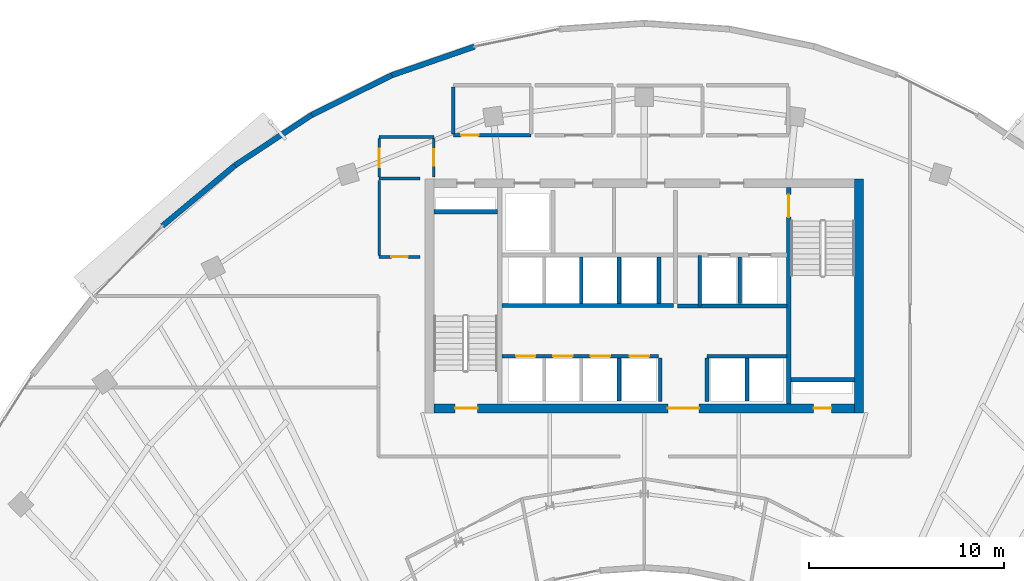
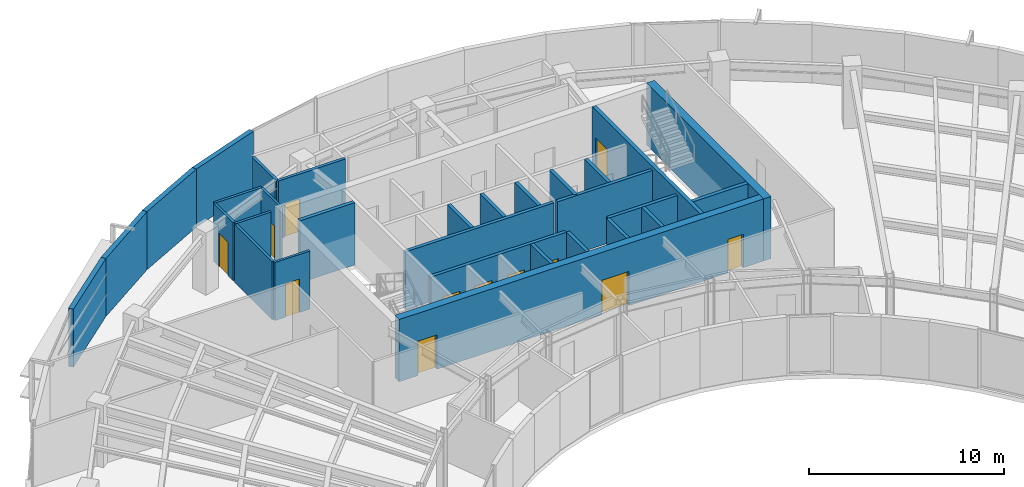
# One storey, part 9 of 13: 30 walls, 12 doors, 12 openings.
"""IFC4 building model written with IfcOpenShell, lengths in metres."""

from ifc_helpers import new_model, si_unit, direction, frame, frame_2d, origin, place, context, subcontext, project, spatial, rectangle, extrude, source, transform, mapped, material, layer, layer_set, type_object, type_shapes, element, fill, save


model = new_model("IFC4")

# Units and contexts
model_context = context("Model", 3, precision=1e-05, world=origin(), true_north=direction((0.0, 1.0)))
body_context = subcontext(model_context, "Body", "Model", "MODEL_VIEW")
ifc_project = project(units=[si_unit("LENGTHUNIT", "METRE"), si_unit("AREAUNIT", "SQUARE_METRE"), si_unit("VOLUMEUNIT", "CUBIC_METRE"), si_unit("PLANEANGLEUNIT", "RADIAN"), si_unit("MASSUNIT", "GRAM", prefix="KILO")], contexts=[model_context])

# Site, building, storey
site_placement = place(None, origin())
site = spatial("IfcSite", under=ifc_project, at=site_placement, CompositionType="ELEMENT")
building_placement = place(site_placement, origin())
building = spatial("IfcBuilding", under=site, at=building_placement, Name="Breltana Convention Tower", CompositionType="ELEMENT")
storey_placement = place(building_placement, frame((0.0, 0.0, 204.0)))
storey = spatial("IfcBuildingStorey", under=building, at=storey_placement, Name="L49", CompositionType="ELEMENT", Elevation=204.0)

# Walls
ifc_material_1 = material(Name="Concrete C50/60", Category="concrete")
ifc_layer_1 = layer(ifc_material_1, 0.39990234375, Name="Concrete C50/60")
ifc_layer_set_1 = layer_set([ifc_layer_1], Name="Concrete C50/60")
wall_type_1 = type_object("IfcWallType", Name="SW-CORE-400", PredefinedType="SHEAR", material=ifc_layer_set_1)
shared_shape_1 = source(origin(), body_context, "Body", "SweptSolid", [
    extrude(rectangle(XDim=3.27001953125, YDim=0.219970703125, at=frame_2d((1.635009765625, 0.0))), origin(), (0.0, 0.0, 1.0), 3.89990234375),
])
for number, where, z_axis, x_axis, name in (
    (1, (37.199951171875, 70.510009765625, 0.0), (0.0, 0.0, 1.0), (1.0, 0.0, 0.0), "L49 ST-1 Stairwell North Bearing Wall"),
    (2, (55.530029296875, 61.889892578125, 0.0), (0.0, 0.0, 1.0), (1.0, 0.0, 0.0), "L49 ST-2 Stairwell South Bearing Wall"),
):
    element("IfcWall", number, at=place(storey_placement, frame(where, z_axis=z_axis, x_axis=x_axis)), inside=storey, type_object=wall_type_1, Name=name, PredefinedType="SHEAR", context=body_context, shape_type="MappedRepresentation", body=[
        mapped(shared_shape_1, transform((0.0, 0.0, 0.0), scale=1.0)),
    ])
ifc_material_2 = material(Name="Concrete C60/75", Category="concrete")
ifc_layer_2 = layer(ifc_material_2, 0.449951171875, Name="Concrete C60/75")
ifc_layer_set_2 = layer_set([ifc_layer_2], Name="Concrete C60/75")
wall_type_2 = type_object("IfcWallType", Name="SW-CORE-450", PredefinedType="SHEAR", material=ifc_layer_set_2)
shared_shape_2 = source(origin(), body_context, "Body", "SweptSolid", [
    extrude(rectangle(XDim=12.0, YDim=0.449951171875, at=frame_2d((6.0, 0.0))), origin(), (0.0, 0.0, 1.0), 3.89990234375),
])
wall_1_placement = place(storey_placement, frame((59.02490234375, 60.199951171875, 0.0), z_axis=(0.0, 0.0, 1.0), x_axis=(0.0, 1.0, 0.0)))
element("IfcWall", 3, at=wall_1_placement, inside=storey, type_object=wall_type_2, Name="L49 East Core Shear Wall", PredefinedType="SHEAR", context=body_context, shape_type="MappedRepresentation", body=[
    mapped(shared_shape_2, transform((0.0, 0.0, 0.0), scale=1.0)),
])

# Wall, openings, doors
shared_shape_3 = source(origin(), body_context, "Body", "SweptSolid", [
    extrude(rectangle(XDim=21.60009765625, YDim=0.449951171875, at=frame_2d((10.800048828125, 0.0))), origin(), (0.0, 0.0, 1.0), 3.89990234375),
])
wall_2_placement = place(storey_placement, frame((37.199951171875, 60.425048828125, 0.0), z_axis=(0.0, 0.0, 1.0), x_axis=(1.0, 0.0, 0.0)))
wall_2 = element("IfcWall", 4, at=wall_2_placement, inside=storey, type_object=wall_type_2, Name="L49 South Core Shear Wall", PredefinedType="SHEAR", context=body_context, shape_type="MappedRepresentation", body=[
    mapped(shared_shape_3, transform((0.0, 0.0, 0.0), scale=1.0)),
])
opening_1_placement = place(wall_2_placement, frame((1.10009765625, 0.0, 0.0)))
opening_1 = element("IfcOpeningElement", 5, at=opening_1_placement, cuts=wall_2, Name="Opening D-11", PredefinedType="OPENING", context=body_context, shape_type="SweptSolid", body=[
    extrude(rectangle(XDim=1.14990234375, YDim=2.14990234375, at=frame_2d((0.574951171875, 1.074951171875))), frame((0.0, 0.23486328125, 0.0), z_axis=(0.0, -1.0, 0.0), x_axis=(1.0, 0.0, 0.0)), (0.0, 0.0, 1.0), 0.469970703125),
])
opening_2_placement = place(wall_2_placement, frame((19.5, 0.0, 0.0)))
opening_2 = element("IfcOpeningElement", 6, at=opening_2_placement, cuts=wall_2, Name="Opening D-18", PredefinedType="OPENING", context=body_context, shape_type="SweptSolid", body=[
    extrude(rectangle(XDim=0.89990234375, YDim=2.10009765625, at=frame_2d((0.449951171875, 1.050048828125))), frame((0.0, 0.23486328125, 0.0), z_axis=(0.0, -1.0, 0.0), x_axis=(1.0, 0.0, 0.0)), (0.0, 0.0, 1.0), 0.469970703125),
])
opening_3_placement = place(wall_2_placement, frame((12.02001953125, 0.0, 0.0)))
opening_3 = element("IfcOpeningElement", 7, at=opening_3_placement, cuts=wall_2, Name="Opening D-02", PredefinedType="OPENING", context=body_context, shape_type="SweptSolid", body=[
    extrude(rectangle(XDim=1.60009765625, YDim=2.14990234375, at=frame_2d((0.800048828125, 1.074951171875))), frame((0.0, 0.23486328125, 0.0), z_axis=(0.0, -1.0, 0.0), x_axis=(1.0, 0.0, 0.0)), (0.0, 0.0, 1.0), 0.469970703125),
])
ifc_material_3 = material(Name="Steel Stair Exit Door", Category="steel")
door_type_1 = type_object("IfcDoorType", Name="DR-FD120-1150", OperationType="NOTDEFINED", PredefinedType="DOOR", material=ifc_material_3)
shared_shape_4 = source(origin(), body_context, "Body", "SweptSolid", [
    extrude(rectangle(XDim=1.14990234375, YDim=2.14990234375, at=frame_2d((0.574951171875, 1.074951171875))), frame((0.0, 0.02490234375, 0.0), z_axis=(0.0, -1.0, 0.0), x_axis=(1.0, 0.0, 0.0)), (0.0, 0.0, 1.0), 0.050048828125),
])
type_shapes(door_type_1, [shared_shape_4])
door_1_placement = place(opening_1_placement, origin())
door_1 = element("IfcDoor", 8, at=door_1_placement, inside=storey, type_object=door_type_1, Name="L49 interior door D-L49-ST1", OperationType="SINGLE_SWING_LEFT", OverallHeight=2.14990234375, OverallWidth=1.14990234375, PredefinedType="DOOR", context=body_context, shape_type="MappedRepresentation", body=[
    mapped(shared_shape_4, transform((0.0, 0.0, 0.0), scale=1.0)),
])
fill(opening_1, door_1)
ifc_material_4 = material(Name="Steel Riser Fire Door", Category="steel")
door_type_2 = type_object("IfcDoorType", Name="DR-FD60-900", OperationType="NOTDEFINED", PredefinedType="DOOR", material=ifc_material_4)
shared_shape_5 = source(origin(), body_context, "Body", "SweptSolid", [
    extrude(rectangle(XDim=0.89990234375, YDim=2.10009765625, at=frame_2d((0.449951171875, 1.050048828125))), frame((0.0, 0.02490234375, 0.0), z_axis=(0.0, -1.0, 0.0), x_axis=(1.0, 0.0, 0.0)), (0.0, 0.0, 1.0), 0.050048828125),
])
type_shapes(door_type_2, [shared_shape_5])
door_2_placement = place(opening_2_placement, origin())
door_2 = element("IfcDoor", 9, at=door_2_placement, inside=storey, type_object=door_type_2, Name="L49 Core Riser Access Door D-L49-RS2", OperationType="SINGLE_SWING_RIGHT", OverallHeight=2.10009765625, OverallWidth=0.89990234375, PredefinedType="DOOR", context=body_context, shape_type="MappedRepresentation", body=[
    mapped(shared_shape_5, transform((0.0, 0.0, 0.0), scale=1.0)),
])
fill(opening_2, door_2)
ifc_material_5 = material(Name="Steel Glazed Smoke-Control Door", Category="steel")
door_type_3 = type_object("IfcDoorType", Name="DR-DBL-FD90-1600", OperationType="DOUBLE_DOOR_SINGLE_SWING", PredefinedType="DOOR", material=ifc_material_5)
shared_shape_6 = source(origin(), body_context, "Body", "SweptSolid", [
    extrude(rectangle(XDim=1.60009765625, YDim=2.14990234375, at=frame_2d((0.800048828125, 1.074951171875))), frame((0.0, 0.02490234375, 0.0), z_axis=(0.0, -1.0, 0.0), x_axis=(1.0, 0.0, 0.0)), (0.0, 0.0, 1.0), 0.050048828125),
])
type_shapes(door_type_3, [shared_shape_6])
door_3_placement = place(opening_3_placement, origin())
door_3 = element("IfcDoor", 10, at=door_3_placement, inside=storey, type_object=door_type_3, Name="L49 interior door D-L49-LLB-S", OperationType="DOUBLE_DOOR_SINGLE_SWING", OverallHeight=2.14990234375, OverallWidth=1.60009765625, PredefinedType="DOOR", context=body_context, shape_type="MappedRepresentation", body=[
    mapped(shared_shape_6, transform((0.0, 0.0, 0.0), scale=1.0)),
])
fill(opening_3, door_3)

# Wall, opening, door
shared_shape_7 = source(origin(), body_context, "Body", "SweptSolid", [
    extrude(rectangle(XDim=11.10009765625, YDim=0.219970703125, at=frame_2d((5.550048828125, 0.0))), origin(), (0.0, 0.0, 1.0), 3.89990234375),
])
wall_3_placement = place(storey_placement, frame((55.419921875, 60.64990234375, 0.0), z_axis=(0.0, 0.0, 1.0), x_axis=(0.0, 1.0, 0.0)))
wall_3 = element("IfcWall", 11, at=wall_3_placement, inside=storey, type_object=wall_type_1, Name="L49 Core East Stair Spine Wall", PredefinedType="SHEAR", context=body_context, shape_type="MappedRepresentation", body=[
    mapped(shared_shape_7, transform((0.0, 0.0, 0.0), scale=1.0)),
])
opening_4_placement = place(wall_3_placement, frame((9.594970703125, 0.0, 0.0)))
opening_4 = element("IfcOpeningElement", 12, at=opening_4_placement, cuts=wall_3, Name="Opening D-11", PredefinedType="OPENING", context=body_context, shape_type="SweptSolid", body=[
    extrude(rectangle(XDim=1.14990234375, YDim=2.14990234375, at=frame_2d((0.574951171875, 1.074951171875))), frame((0.0, 0.1201171875, 0.0), z_axis=(0.0, -1.0, 0.0), x_axis=(1.0, 0.0, 0.0)), (0.0, 0.0, 1.0), 0.239990234375),
])
door_4_placement = place(opening_4_placement, origin())
door_4 = element("IfcDoor", 13, at=door_4_placement, inside=storey, type_object=door_type_1, Name="L49 interior door D-L49-ST2", OperationType="SINGLE_SWING_LEFT", OverallHeight=2.14990234375, OverallWidth=1.14990234375, PredefinedType="DOOR", context=body_context, shape_type="MappedRepresentation", body=[
    mapped(shared_shape_4, transform((0.0, 0.0, 0.0), scale=1.0)),
])
fill(opening_4, door_4)

# Walls
ifc_material_6 = material(Name="Limestone Buff Insulated Wall", Category="masonry")
ifc_layer_3 = layer(ifc_material_6, 0.280029296875, Name="Limestone Buff Insulated Wall")
ifc_layer_set_3 = layer_set([ifc_layer_3], Name="Limestone Buff Insulated Wall")
wall_type_3 = type_object("IfcWallType", Name="WL-EXT-NOSE-280", PredefinedType="SOLIDWALL", material=ifc_layer_set_3)
shared_shape_8 = source(origin(), body_context, "Body", "SweptSolid", [
    extrude(rectangle(XDim=4.851806640625, YDim=0.280029296875, at=frame_2d((2.42578125, 0.0))), origin(), (0.0, 0.0, 1.0), 3.639892578125),
])
wall_4_placement = place(storey_placement, frame((23.26806640625, 69.787841796875, 0.0), z_axis=(0.0, 0.0, 1.0), x_axis=(0.767936605821, 0.640525853843, 0.0)))
element("IfcWall", 14, at=wall_4_placement, inside=storey, type_object=wall_type_3, Name="L49 curved limestone nose wall E21", PredefinedType="SOLIDWALL", context=body_context, shape_type="MappedRepresentation", body=[
    mapped(shared_shape_8, transform((0.0, 0.0, 0.0), scale=1.0)),
])
shared_shape_9 = source(origin(), body_context, "Body", "SweptSolid", [
    extrude(rectangle(XDim=4.712646484375, YDim=0.280029296875, at=frame_2d((2.3564453125, 0.0))), origin(), (0.0, 0.0, 1.0), 3.639892578125),
])
wall_5_placement = place(storey_placement, frame((26.993896484375, 72.8955078125, 0.0), z_axis=(0.0, 0.0, 1.0), x_axis=(0.835974386457, 0.548768462275, 0.0)))
element("IfcWall", 15, at=wall_5_placement, inside=storey, type_object=wall_type_3, Name="L49 curved limestone nose wall E22", PredefinedType="SOLIDWALL", context=body_context, shape_type="MappedRepresentation", body=[
    mapped(shared_shape_9, transform((0.0, 0.0, 0.0), scale=1.0)),
])
shared_shape_10 = source(origin(), body_context, "Body", "SweptSolid", [
    extrude(rectangle(XDim=4.59033203125, YDim=0.280029296875, at=frame_2d((2.295166015625, 0.0))), origin(), (0.0, 0.0, 1.0), 3.639892578125),
])
wall_6_placement = place(storey_placement, frame((30.93359375, 75.481689453125, 0.0), z_axis=(0.0, 0.0, 1.0), x_axis=(0.895974834987, 0.444104824418, 0.0)))
element("IfcWall", 16, at=wall_6_placement, inside=storey, type_object=wall_type_3, Name="L49 curved limestone nose wall E23", PredefinedType="SOLIDWALL", context=body_context, shape_type="MappedRepresentation", body=[
    mapped(shared_shape_10, transform((0.0, 0.0, 0.0), scale=1.0)),
])
shared_shape_11 = source(origin(), body_context, "Body", "SweptSolid", [
    extrude(rectangle(XDim=4.4921875, YDim=0.280029296875, at=frame_2d((2.24609375, 0.0))), origin(), (0.0, 0.0, 1.0), 3.639892578125),
])
wall_7_placement = place(storey_placement, frame((35.04638671875, 77.520263671875, 0.0), z_axis=(0.0, 0.0, 1.0), x_axis=(0.944872297412, 0.32743906545, 0.0)))
element("IfcWall", 17, at=wall_7_placement, inside=storey, type_object=wall_type_3, Name="L49 curved limestone nose wall E24", PredefinedType="SOLIDWALL", context=body_context, shape_type="MappedRepresentation", body=[
    mapped(shared_shape_11, transform((0.0, 0.0, 0.0), scale=1.0)),
])
ifc_material_7 = material(Name="Autoclaved Aerated Concrete Block", Category="concrete")
ifc_layer_4 = layer(ifc_material_7, 0.199951171875, Name="Autoclaved Aerated Concrete Block")
ifc_layer_set_4 = layer_set([ifc_layer_4], Name="Autoclaved Aerated Concrete Block")
wall_type_4 = type_object("IfcWallType", Name="WL-SHAFT-200", PredefinedType="SOLIDWALL", material=ifc_layer_set_4)
shared_shape_12 = source(origin(), body_context, "Body", "SweptSolid", [
    extrude(rectangle(XDim=2.239990234375, YDim=0.199951171875, at=frame_2d((1.1201171875, 0.0))), origin(), (0.0, 0.0, 1.0), 3.639892578125),
])
for number, where, z_axis, x_axis, name in (
    (18, (48.820068359375, 60.780029296875, 0.0), (0.0, 0.0, 1.0), (0.0, 1.0, 0.0), "L49 interior partition W-L49-PORT-W"),
    (19, (51.219970703125, 60.780029296875, 0.0), (0.0, 0.0, 1.0), (0.0, 1.0, 0.0), "L49 interior partition W-L49-PORT-E"),
):
    element("IfcWall", number, at=place(storey_placement, frame(where, z_axis=z_axis, x_axis=x_axis)), inside=storey, type_object=wall_type_4, Name=name, PredefinedType="SOLIDWALL", context=body_context, shape_type="MappedRepresentation", body=[
        mapped(shared_shape_12, transform((0.0, 0.0, 0.0), scale=1.0)),
    ])
shared_shape_13 = source(origin(), body_context, "Body", "SweptSolid", [
    extrude(rectangle(XDim=5.6201171875, YDim=0.199951171875, at=frame_2d((2.81005859375, 0.0))), origin(), (0.0, 0.0, 1.0), 3.639892578125),
])
wall_8_placement = place(storey_placement, frame((49.699951171875, 65.679931640625, 0.0), z_axis=(0.0, 0.0, 1.0), x_axis=(1.0, 0.0, 0.0)))
element("IfcWall", 20, at=wall_8_placement, inside=storey, type_object=wall_type_4, Name="L49 interior partition W-L49-FL-S", PredefinedType="SOLIDWALL", context=body_context, shape_type="MappedRepresentation", body=[
    mapped(shared_shape_13, transform((0.0, 0.0, 0.0), scale=1.0)),
])
shared_shape_14 = source(origin(), body_context, "Body", "SweptSolid", [
    extrude(rectangle(XDim=2.580078125, YDim=0.199951171875, at=frame_2d((1.2900390625, 0.0))), origin(), (0.0, 0.0, 1.0), 3.639892578125),
])
wall_9_placement = place(storey_placement, frame((50.85009765625, 65.679931640625, 0.0), z_axis=(0.0, 0.0, 1.0), x_axis=(0.0, 1.0, 0.0)))
element("IfcWall", 21, at=wall_9_placement, inside=storey, type_object=wall_type_4, Name="L49 interior partition W-L49-FL-W", PredefinedType="SOLIDWALL", context=body_context, shape_type="MappedRepresentation", body=[
    mapped(shared_shape_14, transform((0.0, 0.0, 0.0), scale=1.0)),
])
shared_shape_15 = source(origin(), body_context, "Body", "SweptSolid", [
    extrude(rectangle(XDim=2.39990234375, YDim=0.199951171875, at=frame_2d((1.199951171875, 0.0))), origin(), (0.0, 0.0, 1.0), 3.639892578125),
])
for number, where, z_axis, x_axis, name in (
    (22, (52.89990234375, 65.800048828125, 0.0), (0.0, 0.0, 1.0), (0.0, 1.0, 0.0), "L49 interior partition W-L49-FL-DIV"),
    (23, (48.75, 65.800048828125, 0.0), (0.0, 0.0, 1.0), (0.0, 1.0, 0.0), "L49 interior partition W-L49-SH-M-END"),
    (24, (44.77001953125, 65.800048828125, 0.0), (0.0, 0.0, 1.0), (0.0, 1.0, 0.0), "L49 interior partition W-L49-SH-M-DIV2"),
    (25, (46.699951171875, 65.800048828125, 0.0), (0.0, 0.0, 1.0), (0.0, 1.0, 0.0), "L49 interior partition W-L49-SH-M-DIV3"),
):
    element("IfcWall", number, at=place(storey_placement, frame(where, z_axis=z_axis, x_axis=x_axis)), inside=storey, type_object=wall_type_4, Name=name, PredefinedType="SOLIDWALL", context=body_context, shape_type="MappedRepresentation", body=[
        mapped(shared_shape_15, transform((0.0, 0.0, 0.0), scale=1.0)),
    ])
shared_shape_16 = source(origin(), body_context, "Body", "SweptSolid", [
    extrude(rectangle(XDim=8.800048828125, YDim=0.199951171875, at=frame_2d((4.39990234375, 0.0))), origin(), (0.0, 0.0, 1.0), 3.639892578125),
])
wall_10_placement = place(storey_placement, frame((40.699951171875, 65.699951171875, 0.0), z_axis=(0.0, 0.0, 1.0), x_axis=(1.0, 0.0, 0.0)))
element("IfcWall", 26, at=wall_10_placement, inside=storey, type_object=wall_type_4, Name="L49 interior partition W-L49-SH-M-FRONT", PredefinedType="SOLIDWALL", context=body_context, shape_type="MappedRepresentation", body=[
    mapped(shared_shape_16, transform((0.0, 0.0, 0.0), scale=1.0)),
])

# Wall, openings, doors
shared_shape_17 = source(origin(), body_context, "Body", "SweptSolid", [
    extrude(rectangle(XDim=8.02001953125, YDim=0.199951171875, at=frame_2d((4.010009765625, 0.0))), origin(), (0.0, 0.0, 1.0), 3.639892578125),
])
wall_11_placement = place(storey_placement, frame((40.699951171875, 63.10009765625, 0.0), z_axis=(0.0, 0.0, 1.0), x_axis=(1.0, 0.0, 0.0)))
wall_11 = element("IfcWall", 27, at=wall_11_placement, inside=storey, type_object=wall_type_4, Name="L49 interior partition W-L49-SH-S-FRONT", PredefinedType="SOLIDWALL", context=body_context, shape_type="MappedRepresentation", body=[
    mapped(shared_shape_17, transform((0.0, 0.0, 0.0), scale=1.0)),
])
opening_5_placement = place(wall_11_placement, frame((0.719970703125, 0.0, 0.0)))
opening_5 = element("IfcOpeningElement", 28, at=opening_5_placement, cuts=wall_11, Name="Opening LD-04", PredefinedType="OPENING", context=body_context, shape_type="SweptSolid", body=[
    extrude(rectangle(XDim=1.0, YDim=2.14990234375, at=frame_2d((0.5, 1.074951171875))), frame((0.0, 0.10986328125, 0.0), z_axis=(0.0, -1.0, 0.0), x_axis=(1.0, 0.0, 0.0)), (0.0, 0.0, 1.0), 0.219970703125),
])
opening_6_placement = place(wall_11_placement, frame((2.6201171875, 0.0, 0.0)))
opening_6 = element("IfcOpeningElement", 29, at=opening_6_placement, cuts=wall_11, Name="Opening LD-04", PredefinedType="OPENING", context=body_context, shape_type="SweptSolid", body=[
    extrude(rectangle(XDim=1.0, YDim=2.14990234375, at=frame_2d((0.5, 1.074951171875))), frame((0.0, 0.10986328125, 0.0), z_axis=(0.0, -1.0, 0.0), x_axis=(1.0, 0.0, 0.0)), (0.0, 0.0, 1.0), 0.219970703125),
])
opening_7_placement = place(wall_11_placement, frame((4.550048828125, 0.0, 0.0)))
opening_7 = element("IfcOpeningElement", 30, at=opening_7_placement, cuts=wall_11, Name="Opening LD-04", PredefinedType="OPENING", context=body_context, shape_type="SweptSolid", body=[
    extrude(rectangle(XDim=1.0, YDim=2.14990234375, at=frame_2d((0.5, 1.074951171875))), frame((0.0, 0.10986328125, 0.0), z_axis=(0.0, -1.0, 0.0), x_axis=(1.0, 0.0, 0.0)), (0.0, 0.0, 1.0), 0.219970703125),
])
opening_8_placement = place(wall_11_placement, frame((6.550048828125, 0.0, 0.0)))
opening_8 = element("IfcOpeningElement", 31, at=opening_8_placement, cuts=wall_11, Name="Opening LD-04", PredefinedType="OPENING", context=body_context, shape_type="SweptSolid", body=[
    extrude(rectangle(XDim=1.0, YDim=2.14990234375, at=frame_2d((0.5, 1.074951171875))), frame((0.0, 0.10986328125, 0.0), z_axis=(0.0, -1.0, 0.0), x_axis=(1.0, 0.0, 0.0)), (0.0, 0.0, 1.0), 0.219970703125),
])
ifc_material_8 = material(Name="Stainless Steel Brushed", Category="steel")
door_type_4 = type_object("IfcDoorType", Name="DR-LD-PAX-1000", OperationType="DOUBLE_DOOR_SLIDING", PredefinedType="DOOR", material=ifc_material_8)
shared_shape_18 = source(origin(), body_context, "Body", "SweptSolid", [
    extrude(rectangle(XDim=1.0, YDim=2.14990234375, at=frame_2d((0.5, 1.074951171875))), frame((0.0, 0.02490234375, 0.0), z_axis=(0.0, -1.0, 0.0), x_axis=(1.0, 0.0, 0.0)), (0.0, 0.0, 1.0), 0.050048828125),
])
type_shapes(door_type_4, [shared_shape_18])
door_5_placement = place(opening_5_placement, origin())
door_5 = element("IfcDoor", 32, at=door_5_placement, inside=storey, type_object=door_type_4, Name="L49 Lift Landing Door D-L49-LD-S1", OperationType="DOUBLE_DOOR_SLIDING", OverallHeight=2.14990234375, OverallWidth=1.0, PredefinedType="DOOR", context=body_context, shape_type="MappedRepresentation", body=[
    mapped(shared_shape_18, transform((0.0, 0.0, 0.0), scale=1.0)),
])
fill(opening_5, door_5)
door_6_placement = place(opening_6_placement, origin())
door_6 = element("IfcDoor", 33, at=door_6_placement, inside=storey, type_object=door_type_4, Name="L49 Lift Landing Door D-L49-LD-S2", OperationType="DOUBLE_DOOR_SLIDING", OverallHeight=2.14990234375, OverallWidth=1.0, PredefinedType="DOOR", context=body_context, shape_type="MappedRepresentation", body=[
    mapped(shared_shape_18, transform((0.0, 0.0, 0.0), scale=1.0)),
])
fill(opening_6, door_6)
door_7_placement = place(opening_7_placement, origin())
door_7 = element("IfcDoor", 34, at=door_7_placement, inside=storey, type_object=door_type_4, Name="L49 Lift Landing Door D-L49-LD-S3", OperationType="DOUBLE_DOOR_SLIDING", OverallHeight=2.14990234375, OverallWidth=1.0, PredefinedType="DOOR", context=body_context, shape_type="MappedRepresentation", body=[
    mapped(shared_shape_18, transform((0.0, 0.0, 0.0), scale=1.0)),
])
fill(opening_7, door_7)
door_8_placement = place(opening_8_placement, origin())
door_8 = element("IfcDoor", 35, at=door_8_placement, inside=storey, type_object=door_type_4, Name="L49 Lift Landing Door D-L49-LD-S4", OperationType="DOUBLE_DOOR_SLIDING", OverallHeight=2.14990234375, OverallWidth=1.0, PredefinedType="DOOR", context=body_context, shape_type="MappedRepresentation", body=[
    mapped(shared_shape_18, transform((0.0, 0.0, 0.0), scale=1.0)),
])
fill(opening_8, door_8)

# Walls
shared_shape_19 = source(origin(), body_context, "Body", "SweptSolid", [
    extrude(rectangle(XDim=4.10009765625, YDim=0.199951171875, at=frame_2d((2.050048828125, 0.0))), origin(), (0.0, 0.0, 1.0), 3.639892578125),
])
wall_12_placement = place(storey_placement, frame((51.219970703125, 63.10009765625, 0.0), z_axis=(0.0, 0.0, 1.0), x_axis=(1.0, 0.0, 0.0)))
element("IfcWall", 36, at=wall_12_placement, inside=storey, type_object=wall_type_4, Name="L49 interior partition W-L49-SH-X-FRONT", PredefinedType="SOLIDWALL", context=body_context, shape_type="MappedRepresentation", body=[
    mapped(shared_shape_19, transform((0.0, 0.0, 0.0), scale=1.0)),
])
shared_shape_20 = source(origin(), body_context, "Body", "SweptSolid", [
    extrude(rectangle(XDim=2.199951171875, YDim=0.199951171875, at=frame_2d((1.10009765625, 0.0))), origin(), (0.0, 0.0, 1.0), 3.639892578125),
])
for number, where, z_axis, x_axis, name in (
    (37, (46.699951171875, 60.800048828125, 0.0), (0.0, 0.0, 1.0), (0.0, 1.0, 0.0), "L49 interior partition W-L49-SH-S-DIV3"),
    (38, (53.280029296875, 60.800048828125, 0.0), (0.0, 0.0, 1.0), (0.0, 1.0, 0.0), "L49 interior partition W-L49-SH-X-DIV"),
):
    element("IfcWall", number, at=place(storey_placement, frame(where, z_axis=z_axis, x_axis=x_axis)), inside=storey, type_object=wall_type_4, Name=name, PredefinedType="SOLIDWALL", context=body_context, shape_type="MappedRepresentation", body=[
        mapped(shared_shape_20, transform((0.0, 0.0, 0.0), scale=1.0)),
    ])
ifc_material_9 = material(Name="Gypsum Acoustic Drywall Partition")
ifc_layer_5 = layer(ifc_material_9, 0.14990234375, Name="Gypsum Acoustic Drywall Partition")
ifc_layer_set_5 = layer_set([ifc_layer_5], Name="Gypsum Acoustic Drywall Partition")
wall_type_5 = type_object("IfcWallType", Name="WL-PART-150", PredefinedType="PARTITIONING", material=ifc_layer_set_5)
shared_shape_21 = source(origin(), body_context, "Body", "SweptSolid", [
    extrude(rectangle(XDim=2.10009765625, YDim=0.14990234375, at=frame_2d((1.050048828125, 0.0))), origin(), (0.0, 0.0, 1.0), 3.639892578125),
])
wall_13_placement = place(storey_placement, frame((34.39990234375, 72.219970703125, 0.0), z_axis=(0.0, 0.0, 1.0), x_axis=(1.0, 0.0, 0.0)))
element("IfcWall", 39, at=wall_13_placement, inside=storey, type_object=wall_type_5, Name="L49 interior partition W-L49-CRNW-S", PredefinedType="PARTITIONING", context=body_context, shape_type="MappedRepresentation", body=[
    mapped(shared_shape_21, transform((0.0, 0.0, 0.0), scale=1.0)),
])

# Wall, opening, door
wall_14_placement = place(storey_placement, frame((34.39990234375, 68.199951171875, 0.0), z_axis=(0.0, 0.0, 1.0), x_axis=(1.0, 0.0, 0.0)))
wall_14 = element("IfcWall", 40, at=wall_14_placement, inside=storey, type_object=wall_type_5, Name="L49 interior partition W-L49-CRSW-S", PredefinedType="PARTITIONING", context=body_context, shape_type="MappedRepresentation", body=[
    mapped(shared_shape_21, transform((0.0, 0.0, 0.0), scale=1.0)),
])
opening_9_placement = place(wall_14_placement, frame((0.625, 0.0, 0.0)))
opening_9 = element("IfcOpeningElement", 41, at=opening_9_placement, cuts=wall_14, Name="Opening D-20", PredefinedType="OPENING", context=body_context, shape_type="SweptSolid", body=[
    extrude(rectangle(XDim=0.85009765625, YDim=2.10009765625, at=frame_2d((0.425048828125, 1.050048828125))), frame((0.0, 0.0849609375, 0.0), z_axis=(0.0, -1.0, 0.0), x_axis=(1.0, 0.0, 0.0)), (0.0, 0.0, 1.0), 0.169921875),
])
ifc_material_10 = material(Name="Steel Closet Fire Door", Category="steel")
door_type_5 = type_object("IfcDoorType", Name="DR-FD60-850", OperationType="NOTDEFINED", PredefinedType="DOOR", material=ifc_material_10)
shared_shape_22 = source(origin(), body_context, "Body", "SweptSolid", [
    extrude(rectangle(XDim=0.85009765625, YDim=2.10009765625, at=frame_2d((0.425048828125, 1.050048828125))), frame((0.0, 0.02490234375, 0.0), z_axis=(0.0, -1.0, 0.0), x_axis=(1.0, 0.0, 0.0)), (0.0, 0.0, 1.0), 0.050048828125),
])
type_shapes(door_type_5, [shared_shape_22])
door_9_placement = place(opening_9_placement, origin())
door_9 = element("IfcDoor", 42, at=door_9_placement, inside=storey, type_object=door_type_5, Name="L49 interior door D-L49-CRSW", OperationType="SINGLE_SWING_RIGHT", OverallHeight=2.10009765625, OverallWidth=0.85009765625, PredefinedType="DOOR", context=body_context, shape_type="MappedRepresentation", body=[
    mapped(shared_shape_22, transform((0.0, 0.0, 0.0), scale=1.0)),
])
fill(opening_9, door_9)

# Wall
shared_shape_23 = source(origin(), body_context, "Body", "SweptSolid", [
    extrude(rectangle(XDim=2.800048828125, YDim=0.14990234375, at=frame_2d((1.39990234375, 0.0))), origin(), (0.0, 0.0, 1.0), 3.639892578125),
])
wall_15_placement = place(storey_placement, frame((34.39990234375, 74.35009765625, 0.0), z_axis=(0.0, 0.0, 1.0), x_axis=(1.0, 0.0, 0.0)))
element("IfcWall", 43, at=wall_15_placement, inside=storey, type_object=wall_type_5, Name="L49 interior partition W-L49-CRNW-N", PredefinedType="PARTITIONING", context=body_context, shape_type="MappedRepresentation", body=[
    mapped(shared_shape_23, transform((0.0, 0.0, 0.0), scale=1.0)),
])

# Wall, opening, door
shared_shape_24 = source(origin(), body_context, "Body", "SweptSolid", [
    extrude(rectangle(XDim=1.994873046875, YDim=0.14990234375, at=frame_2d((0.99755859375, 0.0))), origin(), (0.0, 0.0, 1.0), 3.639892578125),
])
wall_16_placement = place(storey_placement, frame((34.39990234375, 72.28759765625, 0.0), z_axis=(0.0, 0.0, 1.0), x_axis=(0.0, 1.0, 0.0)))
wall_16 = element("IfcWall", 44, at=wall_16_placement, inside=storey, type_object=wall_type_5, Name="L49 interior partition W-L49-CRNW-W", PredefinedType="PARTITIONING", context=body_context, shape_type="MappedRepresentation", body=[
    mapped(shared_shape_24, transform((0.0, 0.0, 0.0), scale=1.0)),
])
opening_10_placement = place(wall_16_placement, frame((0.5224609375, 0.0, 0.0)))
opening_10 = element("IfcOpeningElement", 45, at=opening_10_placement, cuts=wall_16, Name="Opening D-17", PredefinedType="OPENING", context=body_context, shape_type="SweptSolid", body=[
    extrude(rectangle(XDim=0.949951171875, YDim=2.10009765625, at=frame_2d((0.47509765625, 1.050048828125))), frame((0.0, 0.0849609375, 0.0), z_axis=(0.0, -1.0, 0.0), x_axis=(1.0, 0.0, 0.0)), (0.0, 0.0, 1.0), 0.169921875),
])
ifc_material_11 = material(Name="Timber Oak Veneer Door", Category="wood")
door_type_6 = type_object("IfcDoorType", Name="DR-INT-950", OperationType="NOTDEFINED", PredefinedType="DOOR", material=ifc_material_11)
shared_shape_25 = source(origin(), body_context, "Body", "SweptSolid", [
    extrude(rectangle(XDim=0.949951171875, YDim=2.10009765625, at=frame_2d((0.47509765625, 1.050048828125))), frame((0.0, 0.02490234375, 0.0), z_axis=(0.0, -1.0, 0.0), x_axis=(1.0, 0.0, 0.0)), (0.0, 0.0, 1.0), 0.050048828125),
])
type_shapes(door_type_6, [shared_shape_25])
door_10_placement = place(opening_10_placement, origin())
door_10 = element("IfcDoor", 46, at=door_10_placement, inside=storey, type_object=door_type_6, Name="L49 interior door D-L49-EXW3", OperationType="SINGLE_SWING_LEFT", OverallHeight=2.10009765625, OverallWidth=0.949951171875, PredefinedType="DOOR", context=body_context, shape_type="MappedRepresentation", body=[
    mapped(shared_shape_25, transform((0.0, 0.0, 0.0), scale=1.0)),
])
fill(opening_10, door_10)

shared_shape_26 = source(origin(), body_context, "Body", "SweptSolid", [
    extrude(rectangle(XDim=1.982421875, YDim=0.14990234375, at=frame_2d((0.9912109375, 0.0))), origin(), (0.0, 0.0, 1.0), 3.639892578125),
])
wall_17_placement = place(storey_placement, frame((37.199951171875, 72.300048828125, 0.0), z_axis=(0.0, 0.0, 1.0), x_axis=(0.0, 1.0, 0.0)))
wall_17 = element("IfcWall", 47, at=wall_17_placement, inside=storey, type_object=wall_type_5, Name="L49 interior partition W-L49-CRNW-E", PredefinedType="PARTITIONING", context=body_context, shape_type="MappedRepresentation", body=[
    mapped(shared_shape_26, transform((0.0, 0.0, 0.0), scale=1.0)),
])
opening_11_placement = place(wall_17_placement, frame((0.56640625, 0.0, 0.0)))
opening_11 = element("IfcOpeningElement", 48, at=opening_11_placement, cuts=wall_17, Name="Opening D-20", PredefinedType="OPENING", context=body_context, shape_type="SweptSolid", body=[
    extrude(rectangle(XDim=0.85009765625, YDim=2.10009765625, at=frame_2d((0.425048828125, 1.050048828125))), frame((0.0, 0.0849609375, 0.0), z_axis=(0.0, -1.0, 0.0), x_axis=(1.0, 0.0, 0.0)), (0.0, 0.0, 1.0), 0.169921875),
])
door_11_placement = place(opening_11_placement, origin())
door_11 = element("IfcDoor", 49, at=door_11_placement, inside=storey, type_object=door_type_5, Name="L49 interior door D-L49-CRNW", OperationType="SINGLE_SWING_LEFT", OverallHeight=2.10009765625, OverallWidth=0.85009765625, PredefinedType="DOOR", context=body_context, shape_type="MappedRepresentation", body=[
    mapped(shared_shape_22, transform((0.0, 0.0, 0.0), scale=1.0)),
])
fill(opening_11, door_11)

# Wall
shared_shape_27 = source(origin(), body_context, "Body", "SweptSolid", [
    extrude(rectangle(XDim=3.844970703125, YDim=0.14990234375, at=frame_2d((1.92236328125, 0.0))), origin(), (0.0, 0.0, 1.0), 3.639892578125),
])
wall_18_placement = place(storey_placement, frame((34.39990234375, 68.267578125, 0.0), z_axis=(0.0, 0.0, 1.0), x_axis=(0.0, 1.0, 0.0)))
element("IfcWall", 50, at=wall_18_placement, inside=storey, type_object=wall_type_5, Name="L49 interior partition W-L49-CRSW-W", PredefinedType="PARTITIONING", context=body_context, shape_type="MappedRepresentation", body=[
    mapped(shared_shape_27, transform((0.0, 0.0, 0.0), scale=1.0)),
])

# Wall, opening, door
ifc_material_12 = material(Name="Cement Board Wet-Area Partition")
ifc_layer_6 = layer(ifc_material_12, 0.175048828125, Name="Cement Board Wet-Area Partition")
ifc_layer_set_6 = layer_set([ifc_layer_6], Name="Cement Board Wet-Area Partition")
wall_type_6 = type_object("IfcWallType", Name="WL-WET-175", PredefinedType="PARTITIONING", material=ifc_layer_set_6)
shared_shape_28 = source(origin(), body_context, "Body", "SweptSolid", [
    extrude(rectangle(XDim=4.0, YDim=0.175048828125, at=frame_2d((2.0, 0.0))), origin(), (0.0, 0.0, 1.0), 3.639892578125),
])
wall_19_placement = place(storey_placement, frame((38.199951171875, 74.43994140625, 0.0), z_axis=(0.0, 0.0, 1.0), x_axis=(1.0, 0.0, 0.0)))
wall_19 = element("IfcWall", 51, at=wall_19_placement, inside=storey, type_object=wall_type_6, Name="L49 interior partition W-L49-WCM-S", PredefinedType="PARTITIONING", context=body_context, shape_type="MappedRepresentation", body=[
    mapped(shared_shape_28, transform((0.0, 0.0, 0.0), scale=1.0)),
])
opening_12_placement = place(wall_19_placement, frame((0.39990234375, 0.0, 0.0)))
opening_12 = element("IfcOpeningElement", 52, at=opening_12_placement, cuts=wall_19, Name="Opening D-19", PredefinedType="OPENING", context=body_context, shape_type="SweptSolid", body=[
    extrude(rectangle(XDim=0.89990234375, YDim=2.080078125, at=frame_2d((0.449951171875, 1.0400390625))), frame((0.0, 0.09765625, 0.0), z_axis=(0.0, -1.0, 0.0), x_axis=(1.0, 0.0, 0.0)), (0.0, 0.0, 1.0), 0.195068359375),
])
ifc_material_13 = material(Name="Timber Moisture-Resistant Door", Category="wood")
door_type_7 = type_object("IfcDoorType", Name="DR-WC-900", OperationType="NOTDEFINED", PredefinedType="DOOR", material=ifc_material_13)
shared_shape_29 = source(origin(), body_context, "Body", "SweptSolid", [
    extrude(rectangle(XDim=0.89990234375, YDim=2.080078125, at=frame_2d((0.449951171875, 1.0400390625))), frame((0.0, 0.02490234375, 0.0), z_axis=(0.0, -1.0, 0.0), x_axis=(1.0, 0.0, 0.0)), (0.0, 0.0, 1.0), 0.050048828125),
])
type_shapes(door_type_7, [shared_shape_29])
door_12_placement = place(opening_12_placement, origin())
door_12 = element("IfcDoor", 53, at=door_12_placement, inside=storey, type_object=door_type_7, Name="L49 interior door D-L49-WCM", OperationType="SINGLE_SWING_LEFT", OverallHeight=2.080078125, OverallWidth=0.89990234375, PredefinedType="DOOR", context=body_context, shape_type="MappedRepresentation", body=[
    mapped(shared_shape_29, transform((0.0, 0.0, 0.0), scale=1.0)),
])
fill(opening_12, door_12)

# Wall
shared_shape_30 = source(origin(), body_context, "Body", "SweptSolid", [
    extrude(rectangle(XDim=2.402587890625, YDim=0.175048828125, at=frame_2d((1.201171875, 0.0))), origin(), (0.0, 0.0, 1.0), 3.639892578125),
])
wall_20_placement = place(storey_placement, frame((38.199951171875, 74.518798828125, 0.0), z_axis=(0.0, 0.0, 1.0), x_axis=(0.0, 1.0, 0.0)))
element("IfcWall", 54, at=wall_20_placement, inside=storey, type_object=wall_type_6, Name="L49 interior partition W-L49-WCM-W", PredefinedType="PARTITIONING", context=body_context, shape_type="MappedRepresentation", body=[
    mapped(shared_shape_30, transform((0.0, 0.0, 0.0), scale=1.0)),
])

save(model, "model.ifc")
